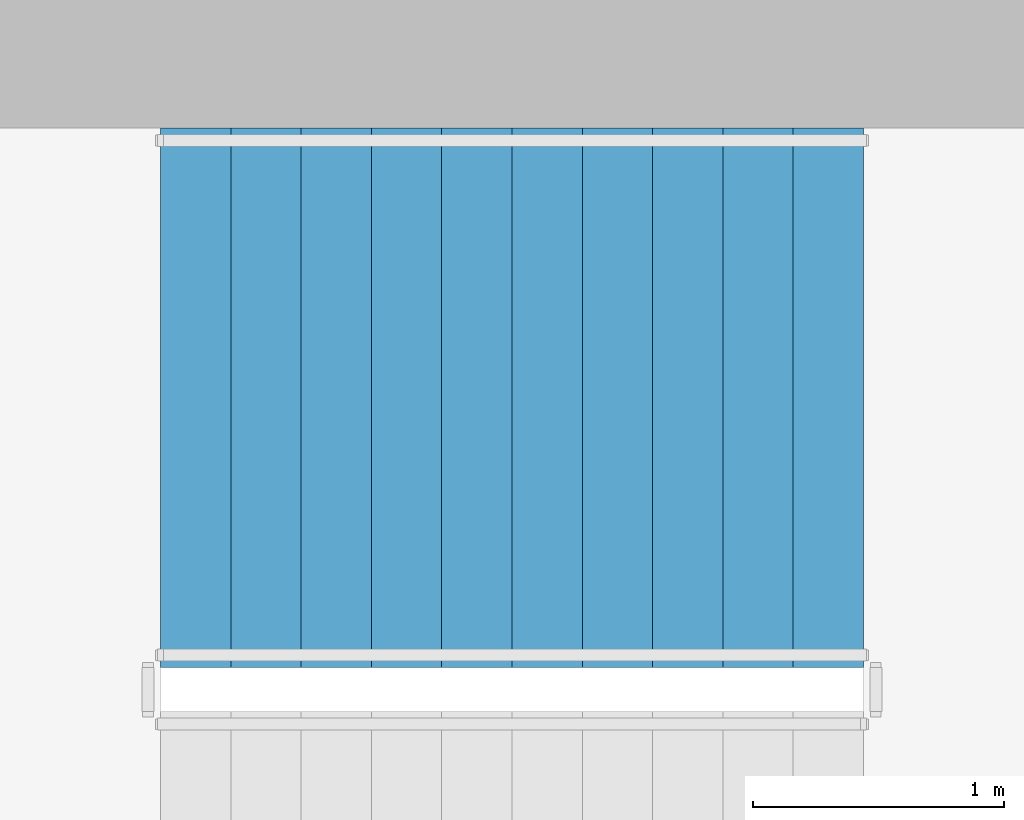
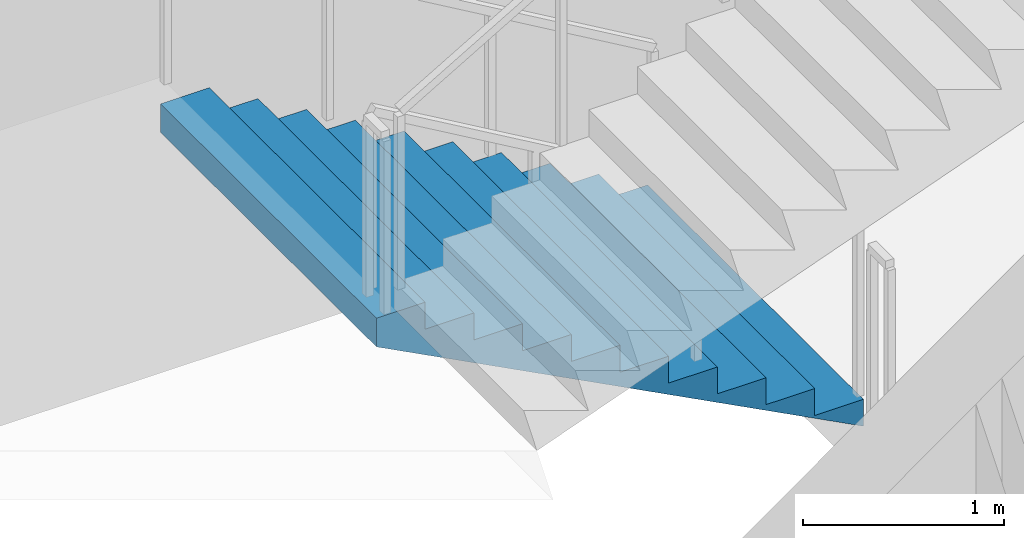
# One storey, part 11 of 19: 1 stair flight, 1 element without a shape of its own.
"""IFC4 building model written with IfcOpenShell, lengths in metres."""

from ifc_helpers import new_model, si_unit, direction, frame, origin, place, context, subcontext, project, spatial, triangles, material, type_object, element, aggregate, save


model = new_model("IFC4")

# Units and contexts
model_context = context("Model", 3, precision=1e-05, world=origin(), true_north=direction((0.0, 1.0)))
body_context = subcontext(model_context, "Body", "Model", "MODEL_VIEW")
ifc_project = project(units=[si_unit("LENGTHUNIT", "METRE"), si_unit("AREAUNIT", "SQUARE_METRE"), si_unit("VOLUMEUNIT", "CUBIC_METRE"), si_unit("PLANEANGLEUNIT", "RADIAN"), si_unit("MASSUNIT", "GRAM", prefix="KILO")], contexts=[model_context])

# Site, building, storey
site_placement = place(None, origin())
site = spatial("IfcSite", under=ifc_project, at=site_placement, CompositionType="ELEMENT")
building_placement = place(site_placement, origin())
building = spatial("IfcBuilding", under=site, at=building_placement, Name="Cypress Arch Tower", CompositionType="ELEMENT")
storey_placement = place(building_placement, frame((0.0, 0.0, 69.89990234375)))
storey = spatial("IfcBuildingStorey", under=building, at=storey_placement, Name="L11", CompositionType="ELEMENT", Elevation=69.89990234375)

# Stair, stair flight
ifc_material_1 = material(Name="Concrete C40/50", Category="concrete")
stair_type = type_object("IfcStairType", Name="Exit stair ES1636-215", PredefinedType="HALF_TURN_STAIR", material=ifc_material_1)
stair_placement = place(storey_placement, origin())
stair = element("IfcStair", 1, at=stair_placement, inside=storey, type_object=stair_type, Name="L11 Exit stair B", PredefinedType="HALF_TURN_STAIR")
ifc_material_2 = material(Name="Concrete C40/50", Category="concrete")
stair_flight_type = type_object("IfcStairFlightType", Name="Exit stair flight ES1636-215", PredefinedType="STRAIGHT", material=ifc_material_2)
stair_flight_placement = place(storey_placement, frame((-22.27490234375, 13.72509765625, 0.0), z_axis=(0.0, 0.0, 1.0), x_axis=(-1.0, 0.0, 0.0)))
stair_flight = element("IfcStairFlight", 2, at=stair_flight_placement, type_object=stair_flight_type, Name="B flight 1", NumberOfRisers=11, NumberOfTreads=10, PredefinedType="STRAIGHT", RiserHeight=0.163636364, TreadLength=0.28, context=body_context, shape_type="Tessellation", body=[
    triangles([(0.0, -1.074951171875, 0.0), (0.000244140625, -1.074951171875, 0.03271484375), (0.00048828125, -1.074951171875, 0.0654296875), (0.00048828125, -1.074951171875, 0.09814453125), (0.000244140625, -1.074951171875, 0.130859375), (0.0, -1.074951171875, 0.16357421875), (0.280029296875, -1.074951171875, 0.16357421875), (0.280029296875, -1.074951171875, 0.327392578125), (0.56005859375, -1.074951171875, 0.327392578125), (0.56005859375, -1.074951171875, 0.490966796875), (0.840087890625, -1.074951171875, 0.490966796875), (0.840087890625, -1.074951171875, 0.654541015625), (1.1201171875, -1.074951171875, 0.654541015625), (1.1201171875, -1.074951171875, 0.818115234375), (1.39990234375, -1.074951171875, 0.818115234375), (1.39990234375, -1.074951171875, 0.98193359375), (1.679931640625, -1.074951171875, 0.98193359375), (1.679931640625, -1.074951171875, 1.1455078125), (1.9599609375, -1.074951171875, 1.1455078125), (1.9599609375, -1.074951171875, 1.30908203125), (2.239990234375, -1.074951171875, 1.30908203125), (2.239990234375, -1.074951171875, 1.47265625), (2.52001953125, -1.074951171875, 1.47265625), (2.52001953125, -1.074951171875, 1.636474609375), (2.800048828125, -1.074951171875, 1.636474609375), (2.7998046875, -1.074951171875, 1.601806640625), (2.799560546875, -1.074951171875, 1.56689453125), (2.799560546875, -1.074951171875, 1.5322265625), (2.7998046875, -1.074951171875, 1.497314453125), (2.800048828125, -1.074951171875, 1.462646484375), (2.800048828125, 1.074951171875, 1.462646484375), (2.7998046875, 1.074951171875, 1.497314453125), (2.799560546875, 1.074951171875, 1.5322265625), (2.799560546875, 1.074951171875, 1.56689453125), (2.7998046875, 1.074951171875, 1.601806640625), (2.800048828125, 1.074951171875, 1.636474609375), (2.52001953125, 1.074951171875, 1.636474609375), (2.52001953125, 1.074951171875, 1.47265625), (2.239990234375, 1.074951171875, 1.47265625), (2.239990234375, 1.074951171875, 1.30908203125), (1.9599609375, 1.074951171875, 1.30908203125), (1.9599609375, 1.074951171875, 1.1455078125), (1.679931640625, 1.074951171875, 1.1455078125), (1.679931640625, 1.074951171875, 0.98193359375), (1.39990234375, 1.074951171875, 0.98193359375), (1.39990234375, 1.074951171875, 0.818115234375), (1.1201171875, 1.074951171875, 0.818115234375), (1.1201171875, 1.074951171875, 0.654541015625), (0.840087890625, 1.074951171875, 0.654541015625), (0.840087890625, 1.074951171875, 0.490966796875), (0.56005859375, 1.074951171875, 0.490966796875), (0.56005859375, 1.074951171875, 0.327392578125), (0.280029296875, 1.074951171875, 0.327392578125), (0.280029296875, 1.074951171875, 0.16357421875), (0.0, 1.074951171875, 0.16357421875), (0.000244140625, 1.074951171875, 0.130859375), (0.00048828125, 1.074951171875, 0.09814453125), (0.00048828125, 1.074951171875, 0.0654296875), (0.000244140625, 1.074951171875, 0.03271484375), (0.0, 1.074951171875, 0.0), (2.7998046875, 0.0, 1.497314453125), (2.800048828125, 0.0, 1.462646484375), (2.799560546875, 0.0, 1.5322265625), (2.799560546875, 0.0, 1.56689453125), (2.7998046875, 0.0, 1.601806640625), (2.800048828125, 0.0, 1.636474609375), (2.52001953125, 0.0, 1.636474609375), (2.52001953125, 0.0, 1.47265625), (2.239990234375, 0.0, 1.47265625), (2.239990234375, 0.0, 1.30908203125), (1.9599609375, 0.0, 1.30908203125), (1.9599609375, 0.0, 1.1455078125), (1.679931640625, 0.0, 1.1455078125), (1.679931640625, 0.0, 0.98193359375), (1.39990234375, 0.0, 0.98193359375), (1.39990234375, 0.0, 0.818115234375), (1.1201171875, 0.0, 0.818115234375), (1.1201171875, 0.0, 0.654541015625), (0.840087890625, 0.0, 0.654541015625), (0.840087890625, 0.0, 0.490966796875), (0.56005859375, 0.0, 0.490966796875), (0.56005859375, 0.0, 0.327392578125), (0.280029296875, 0.0, 0.327392578125), (0.280029296875, 0.0, 0.16357421875), (0.0, 0.0, 0.16357421875), (0.000244140625, 0.0, 0.130859375), (0.00048828125, 0.0, 0.09814453125), (0.00048828125, 0.0, 0.0654296875), (0.000244140625, 0.0, 0.03271484375), (0.0, 0.0, 0.0)], [[30, 29, 24], [29, 28, 24], [28, 27, 24], [27, 26, 24], [26, 25, 24], [17, 16, 15], [9, 8, 7], [15, 14, 13], [23, 22, 21], [21, 20, 19], [19, 18, 17], [13, 12, 11], [11, 10, 9], [6, 5, 7], [5, 4, 7], [4, 3, 7], [3, 2, 7], [2, 1, 7], [30, 24, 23], [30, 23, 21], [30, 21, 19], [30, 19, 17], [30, 17, 15], [30, 15, 13], [30, 13, 11], [30, 11, 9], [30, 9, 7], [30, 7, 1], [31, 37, 32], [32, 37, 33], [33, 37, 34], [34, 37, 35], [35, 37, 36], [44, 46, 45], [52, 54, 53], [46, 48, 47], [38, 40, 39], [40, 42, 41], [42, 44, 43], [48, 50, 49], [50, 52, 51], [55, 54, 56], [56, 54, 57], [57, 54, 58], [58, 54, 59], [59, 54, 60], [31, 38, 37], [31, 40, 38], [31, 42, 40], [31, 44, 42], [31, 46, 44], [31, 48, 46], [31, 50, 48], [31, 52, 50], [31, 54, 52], [31, 60, 54], [62, 61, 29], [62, 29, 30], [31, 32, 61], [31, 61, 62], [61, 63, 28], [61, 28, 29], [32, 33, 63], [32, 63, 61], [63, 64, 27], [63, 27, 28], [33, 34, 64], [33, 64, 63], [64, 65, 26], [64, 26, 27], [34, 35, 65], [34, 65, 64], [65, 66, 25], [65, 25, 26], [35, 36, 66], [35, 66, 65], [66, 67, 24], [66, 24, 25], [36, 37, 67], [36, 67, 66], [67, 68, 23], [67, 23, 24], [37, 38, 68], [37, 68, 67], [68, 69, 22], [68, 22, 23], [38, 39, 69], [38, 69, 68], [69, 70, 21], [69, 21, 22], [39, 40, 70], [39, 70, 69], [70, 71, 20], [70, 20, 21], [40, 41, 71], [40, 71, 70], [71, 72, 19], [71, 19, 20], [41, 42, 72], [41, 72, 71], [72, 73, 18], [72, 18, 19], [42, 43, 73], [42, 73, 72], [73, 74, 17], [73, 17, 18], [43, 44, 74], [43, 74, 73], [74, 75, 16], [74, 16, 17], [44, 45, 75], [44, 75, 74], [75, 76, 15], [75, 15, 16], [45, 46, 76], [45, 76, 75], [76, 77, 14], [76, 14, 15], [46, 47, 77], [46, 77, 76], [77, 78, 13], [77, 13, 14], [47, 48, 78], [47, 78, 77], [78, 79, 12], [78, 12, 13], [48, 49, 79], [48, 79, 78], [79, 80, 11], [79, 11, 12], [49, 50, 80], [49, 80, 79], [80, 81, 10], [80, 10, 11], [50, 51, 81], [50, 81, 80], [81, 82, 9], [81, 9, 10], [51, 52, 82], [51, 82, 81], [82, 83, 8], [82, 8, 9], [52, 53, 83], [52, 83, 82], [83, 84, 7], [83, 7, 8], [53, 54, 84], [53, 84, 83], [84, 85, 6], [84, 6, 7], [54, 55, 85], [54, 85, 84], [85, 86, 5], [85, 5, 6], [55, 56, 86], [55, 86, 85], [86, 87, 4], [86, 4, 5], [56, 57, 87], [56, 87, 86], [87, 88, 3], [87, 3, 4], [57, 58, 88], [57, 88, 87], [88, 89, 2], [88, 2, 3], [58, 59, 89], [58, 89, 88], [89, 90, 1], [89, 1, 2], [59, 60, 90], [59, 90, 89], [90, 62, 30], [90, 30, 1], [60, 31, 62], [60, 62, 90]], closed=True),
])
aggregate(stair, [stair_flight])

save(model, "model.ifc")
